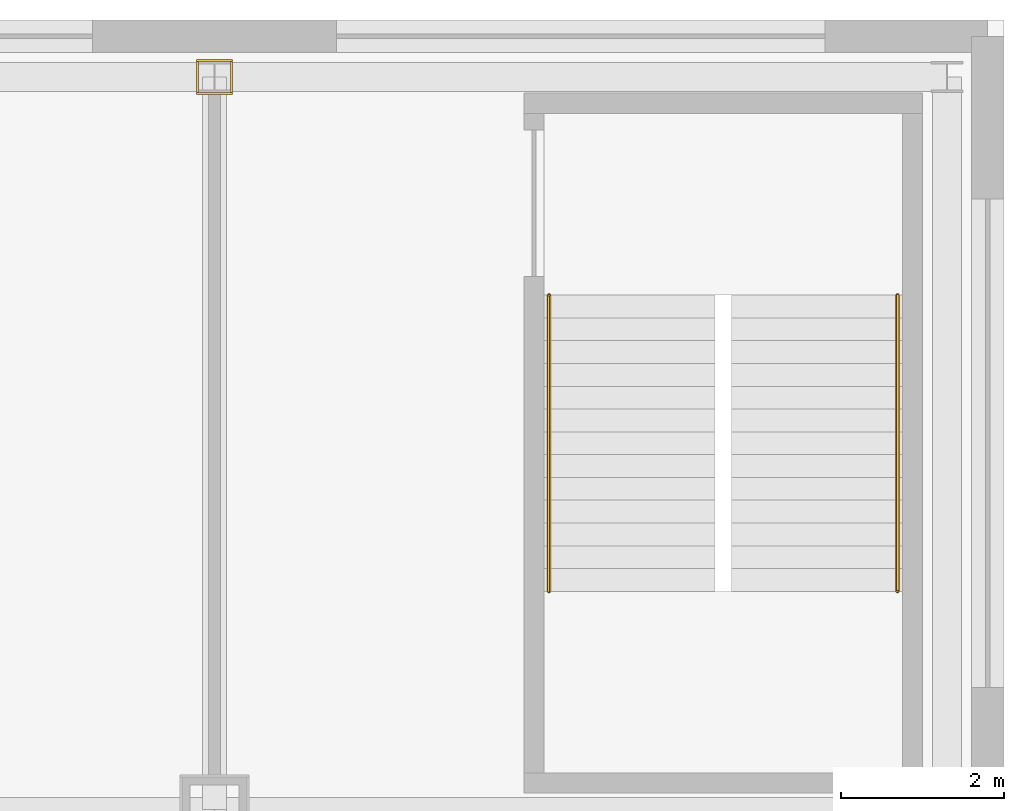
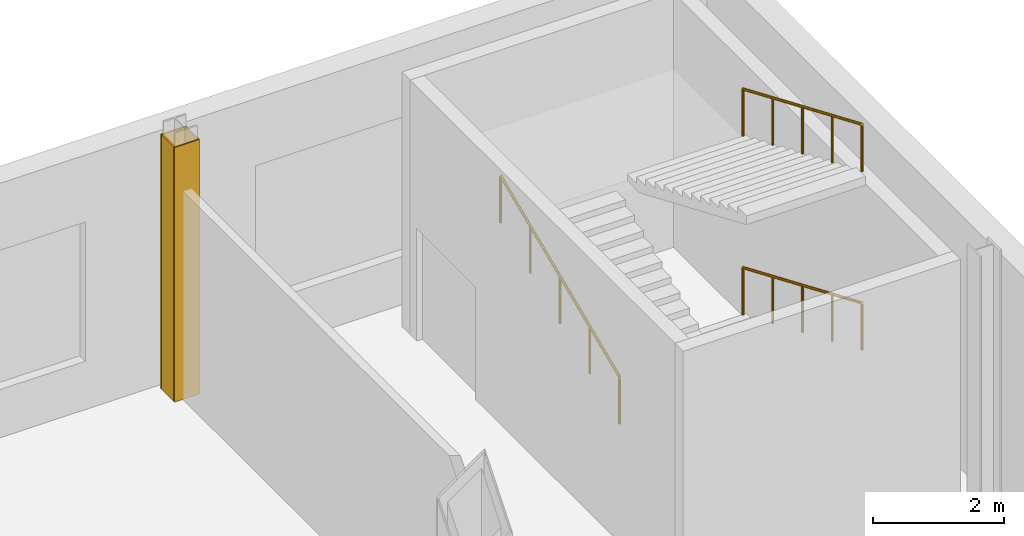
# One storey, part 27 of 28: 4 coverings, 3 railings.
"""IFC4 building model written with IfcOpenShell, lengths in metres."""

from ifc_helpers import new_model, si_unit, direction, frame, origin, origin_2d, place, context, subcontext, project, spatial, rectangle, circle, extrude, material, layer, layer_set, type_object, element, save


model = new_model("IFC4")

# Units and contexts
model_context = context("Model", 3, precision=1e-05, world=origin(), true_north=direction((0.0, 1.0)))
body_context = subcontext(model_context, "Body", "Model", "MODEL_VIEW")
ifc_project = project(units=[si_unit("LENGTHUNIT", "METRE"), si_unit("AREAUNIT", "SQUARE_METRE"), si_unit("VOLUMEUNIT", "CUBIC_METRE"), si_unit("PLANEANGLEUNIT", "RADIAN"), si_unit("MASSUNIT", "GRAM", prefix="KILO")], contexts=[model_context])

# Site, building, storey
site_placement = place(None, origin())
site = spatial("IfcSite", under=ifc_project, at=site_placement, CompositionType="ELEMENT")
building_placement = place(site_placement, origin())
building = spatial("IfcBuilding", under=site, at=building_placement, Name="Loomwork Tower", CompositionType="ELEMENT")
storey_placement = place(building_placement, frame((0.0, 0.0, 6.0)))
storey = spatial("IfcBuildingStorey", under=building, at=storey_placement, Name="L01", CompositionType="ELEMENT", Elevation=6.0)

# Coverings
ifc_material_1 = material(Name="Two-hour fire-rated gypsum board casing")
ifc_layer = layer(ifc_material_1, 0.02490234375)
ifc_layer_set = layer_set([ifc_layer], Name="Column fire casing 25")
covering_type = type_object("IfcCoveringType", Name="Column fire casing 25", PredefinedType="CLADDING", material=ifc_layer_set)
for number, where, z_axis, x_axis, name in (
    (1, (54.0, 45.200439453125, 0.0), (0.0, 0.0, 1.0), (1.0, 0.0, 0.0), "Column casing 54 45 L01"),
    (2, (54.0, 44.799560546875, 0.0), (0.0, 0.0, 1.0), (1.0, 0.0, 0.0), "Column casing 54 45 L01"),
):
    element("IfcCovering", number, at=place(storey_placement, frame(where, z_axis=z_axis, x_axis=x_axis)), inside=storey, type_object=covering_type, Name=name, PredefinedType="CLADDING", context=body_context, shape_type="SweptSolid", body=[
        extrude(rectangle(XDim=0.443603515625, YDim=0.02490234375, at=origin_2d()), origin(), (0.0, 0.0, 1.0), 4.75),
    ])
for number, where, z_axis, x_axis, name in (
    (3, (54.20947265625, 45.0, 0.0), (0.0, 0.0, 1.0), (1.0, 0.0, 0.0), "Column casing 54 45 L01"),
    (4, (53.79052734375, 45.0, 0.0), (0.0, 0.0, 1.0), (1.0, 0.0, 0.0), "Column casing 54 45 L01"),
):
    element("IfcCovering", number, at=place(storey_placement, frame(where, z_axis=z_axis, x_axis=x_axis)), inside=storey, type_object=covering_type, Name=name, PredefinedType="CLADDING", context=body_context, shape_type="SweptSolid", body=[
        extrude(rectangle(XDim=0.02490234375, YDim=0.3759765625, at=origin_2d()), origin(), (0.0, 0.0, 1.0), 4.75),
    ])

# Railings
ifc_material_2 = material(Name="Stainless steel handrail", Category="steel")
railing_type = type_object("IfcRailingType", Name="Handrail 900", PredefinedType="HANDRAIL", material=ifc_material_2)
railing_1_placement = place(storey_placement, frame((62.389892578125, 42.320068359375, 0.118896484375)))
element("IfcRailing", 5, at=railing_1_placement, inside=storey, type_object=railing_type, Name="Podium stair PS4 handrail flight 1 L01", PredefinedType="HANDRAIL", context=body_context, shape_type="SweptSolid", body=[
    extrude(circle(Radius=0.02392578125, at=origin_2d()), frame((0.0, 0.0, 0.8759765625), z_axis=(0.0, -0.920258693564, 0.391310537706), x_axis=(1.0, 0.0, 0.0)), (0.0, 0.0, 1.0), 3.95556640625),
    extrude(circle(Radius=0.02099609375, at=origin_2d()), origin(), (0.0, 0.0, 1.0), 0.851806640625),
    extrude(circle(Radius=0.02099609375, at=origin_2d()), frame((0.0, -0.91015625, 0.386962890625)), (0.0, 0.0, 1.0), 0.851806640625),
    extrude(circle(Radius=0.02099609375, at=origin_2d()), frame((0.0, -1.820068359375, 0.77392578125)), (0.0, 0.0, 1.0), 0.851806640625),
    extrude(circle(Radius=0.02099609375, at=origin_2d()), frame((0.0, -2.72998046875, 1.160888671875)), (0.0, 0.0, 1.0), 0.851806640625),
    extrude(circle(Radius=0.02099609375, at=origin_2d()), frame((0.0, -3.64013671875, 1.5478515625)), (0.0, 0.0, 1.0), 0.851806640625),
])
railing_2_placement = place(storey_placement, frame((58.110107421875, 38.679931640625, 1.78564453125)))
element("IfcRailing", 6, at=railing_2_placement, inside=storey, type_object=railing_type, Name="Podium stair PS4 handrail flight 2 L01", PredefinedType="HANDRAIL", context=body_context, shape_type="SweptSolid", body=[
    extrude(circle(Radius=0.02392578125, at=origin_2d()), frame((0.0, 0.0, 0.8759765625), z_axis=(0.0, 0.920258693564, 0.391310537706), x_axis=(-1.0, 0.0, 0.0)), (0.0, 0.0, 1.0), 3.95556640625),
    extrude(circle(Radius=0.02099609375, at=origin_2d()), origin(), (0.0, 0.0, 1.0), 0.851806640625),
    extrude(circle(Radius=0.02099609375, at=origin_2d()), frame((0.0, 0.91015625, 0.386962890625)), (0.0, 0.0, 1.0), 0.851806640625),
    extrude(circle(Radius=0.02099609375, at=origin_2d()), frame((0.0, 1.820068359375, 0.77392578125)), (0.0, 0.0, 1.0), 0.851806640625),
    extrude(circle(Radius=0.02099609375, at=origin_2d()), frame((0.0, 2.72998046875, 1.160888671875)), (0.0, 0.0, 1.0), 0.851806640625),
    extrude(circle(Radius=0.02099609375, at=origin_2d()), frame((0.0, 3.64013671875, 1.5478515625)), (0.0, 0.0, 1.0), 0.851806640625),
])
railing_3_placement = place(storey_placement, frame((62.389892578125, 42.320068359375, 3.452392578125)))
element("IfcRailing", 7, at=railing_3_placement, inside=storey, type_object=railing_type, Name="Podium stair PS4 handrail flight 3 L01", PredefinedType="HANDRAIL", context=body_context, shape_type="SweptSolid", body=[
    extrude(circle(Radius=0.02392578125, at=origin_2d()), frame((0.0, 0.0, 0.8759765625), z_axis=(0.0, -0.920280918742, 0.391258265855), x_axis=(1.0, 0.0, 0.0)), (0.0, 0.0, 1.0), 3.95556640625),
    extrude(circle(Radius=0.02099609375, at=origin_2d()), origin(), (0.0, 0.0, 1.0), 0.851806640625),
    extrude(circle(Radius=0.02099609375, at=origin_2d()), frame((0.0, -0.91015625, 0.386962890625)), (0.0, 0.0, 1.0), 0.851806640625),
    extrude(circle(Radius=0.02099609375, at=origin_2d()), frame((0.0, -1.820068359375, 0.77392578125)), (0.0, 0.0, 1.0), 0.851806640625),
    extrude(circle(Radius=0.02099609375, at=origin_2d()), frame((0.0, -2.72998046875, 1.16064453125)), (0.0, 0.0, 1.0), 0.851806640625),
    extrude(circle(Radius=0.02099609375, at=origin_2d()), frame((0.0, -3.64013671875, 1.547607421875)), (0.0, 0.0, 1.0), 0.851806640625),
])

save(model, "model.ifc")
